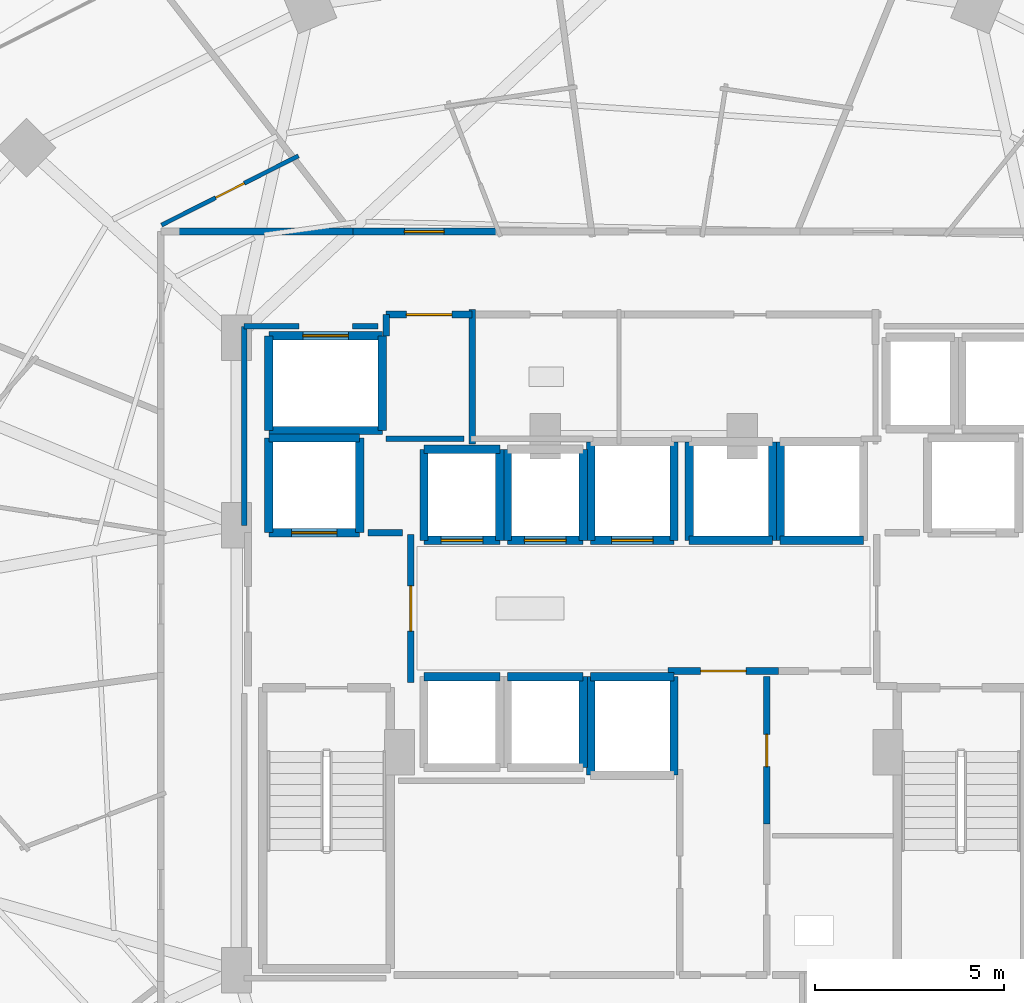
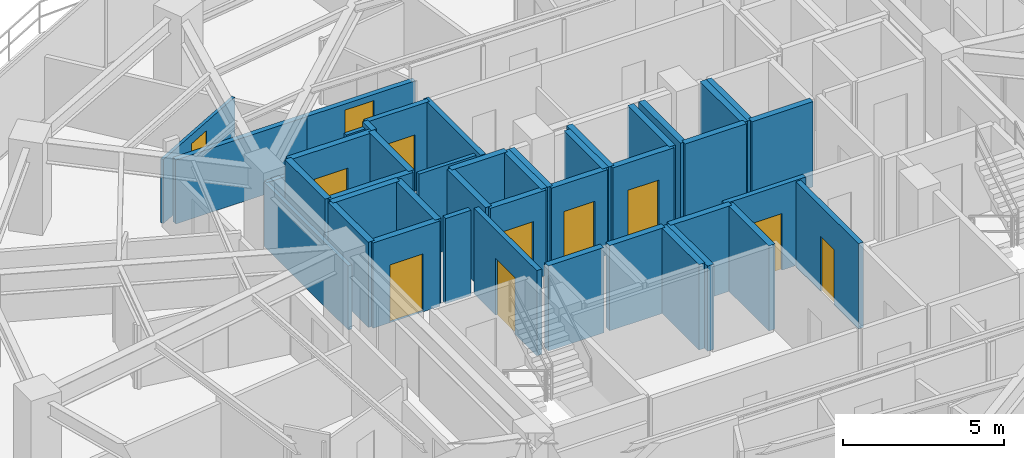
# One storey, part 23 of 30: 43 walls, 11 doors, 11 openings.
"""IFC4 building model written with IfcOpenShell, lengths in metres."""

from ifc_helpers import new_model, si_unit, direction, frame, frame_2d, origin, place, context, subcontext, project, spatial, rectangle, extrude, material, layer, layer_set, type_object, element, fill, save


model = new_model("IFC4")

# Units and contexts
model_context = context("Model", 3, precision=1e-05, world=origin(), true_north=direction((0.0, 1.0)))
body_context = subcontext(model_context, "Body", "Model", "MODEL_VIEW")
ifc_project = project(units=[si_unit("LENGTHUNIT", "METRE"), si_unit("AREAUNIT", "SQUARE_METRE"), si_unit("VOLUMEUNIT", "CUBIC_METRE"), si_unit("PLANEANGLEUNIT", "RADIAN"), si_unit("MASSUNIT", "GRAM", prefix="KILO")], contexts=[model_context])

# Site, building, storey
site_placement = place(None, origin())
site = spatial("IfcSite", under=ifc_project, at=site_placement, CompositionType="ELEMENT")
building_placement = place(site_placement, origin())
building = spatial("IfcBuilding", under=site, at=building_placement, Name="Vorneva Point Tower", CompositionType="ELEMENT")
storey_placement = place(building_placement, frame((0.0, 0.0, 96.300048828125)))
storey = spatial("IfcBuildingStorey", under=building, at=storey_placement, Name="L25", CompositionType="ELEMENT", Elevation=96.300048828125)

# Wall, opening, door
ifc_material_1 = material(Name="Concrete B60 (C50/60)", Category="concrete")
ifc_layer_1 = layer(ifc_material_1, 0.5)
ifc_layer_set_1 = layer_set([ifc_layer_1], Name="Concrete B60 (C50/60)")
wall_type_1 = type_object("IfcWallType", Name="WL-CORE-500", PredefinedType="SHEAR", material=ifc_layer_set_1)
wall_1_placement = place(storey_placement, frame((28.10009765625, 28.0, 0.0), z_axis=(0.0, 0.0, 1.0), x_axis=(1.0, 0.0, 0.0)))
wall_1 = element("IfcWall", 1, at=wall_1_placement, inside=storey, type_object=wall_type_1, Name="L25 Lift FFL1 Shaft Wall -Y", PredefinedType="SHEAR", context=body_context, shape_type="SweptSolid", body=[
    extrude(rectangle(XDim=2.39990234375, YDim=0.219970703125, at=frame_2d((1.199951171875, 0.0))), origin(), (0.0, 0.0, 1.0), 3.239990234375),
])
opening_1_placement = place(wall_1_placement, frame((0.60009765625, 0.0, 0.0)))
opening_1 = element("IfcOpeningElement", 2, at=opening_1_placement, cuts=wall_1, Name="Opening LD-02", PredefinedType="OPENING", context=body_context, shape_type="SweptSolid", body=[
    extrude(rectangle(XDim=1.199951171875, YDim=2.199951171875, at=frame_2d((0.60009765625, 1.10009765625))), frame((0.0, 0.125, 0.0), z_axis=(0.0, -1.0, 0.0), x_axis=(1.0, 0.0, 0.0)), (0.0, 0.0, 1.0), 0.249755859375),
])
ifc_material_2 = material(Name="Brushed stainless steel S304", Category="steel")
door_type_1 = type_object("IfcDoorType", Name="LD-FIRE-1200", OperationType="SLIDING_TO_LEFT", PredefinedType="DOOR", material=ifc_material_2)
door_1_placement = place(opening_1_placement, origin())
door_1 = element("IfcDoor", 3, at=door_1_placement, inside=storey, type_object=door_type_1, Name="L25 Lift FFL1 Sliding Landing Door", OperationType="SLIDING_TO_LEFT", OverallHeight=2.199951171875, OverallWidth=1.199951171875, PredefinedType="DOOR", context=body_context, shape_type="SweptSolid", body=[
    extrude(rectangle(XDim=1.199951171875, YDim=2.199951171875, at=frame_2d((0.60009765625, 1.10009765625))), frame((0.0, 0.02490234375, 0.0), z_axis=(0.0, -1.0, 0.0), x_axis=(1.0, 0.0, 0.0)), (0.0, 0.0, 1.0), 0.050048828125),
])
fill(opening_1, door_1)

# Walls
wall_2_placement = place(storey_placement, frame((30.5, 28.0, 0.0), z_axis=(0.0, 0.0, 1.0), x_axis=(0.0, 1.0, 0.0)))
element("IfcWall", 4, at=wall_2_placement, inside=storey, type_object=wall_type_1, Name="L25 Lift FFL1 Shaft Wall +X", PredefinedType="SHEAR", context=body_context, shape_type="SweptSolid", body=[
    extrude(rectangle(XDim=2.5, YDim=0.219970703125, at=frame_2d((1.25, 0.0))), origin(), (0.0, 0.0, 1.0), 3.239990234375),
])
wall_3_placement = place(storey_placement, frame((30.5, 30.5, 0.0), z_axis=(0.0, 0.0, 1.0), x_axis=(-1.0, 0.0, 0.0)))
element("IfcWall", 5, at=wall_3_placement, inside=storey, type_object=wall_type_1, Name="L25 Lift FFL1 Shaft Wall +Y", PredefinedType="SHEAR", context=body_context, shape_type="SweptSolid", body=[
    extrude(rectangle(XDim=2.39990234375, YDim=0.219970703125, at=frame_2d((1.199951171875, 0.0))), origin(), (0.0, 0.0, 1.0), 3.239990234375),
])
wall_4_placement = place(storey_placement, frame((28.10009765625, 30.5, 0.0), z_axis=(0.0, 0.0, 1.0), x_axis=(0.0, -1.0, 0.0)))
element("IfcWall", 6, at=wall_4_placement, inside=storey, type_object=wall_type_1, Name="L25 Lift FFL1 Shaft Wall -X", PredefinedType="SHEAR", context=body_context, shape_type="SweptSolid", body=[
    extrude(rectangle(XDim=2.5, YDim=0.219970703125, at=frame_2d((1.25, 0.0))), origin(), (0.0, 0.0, 1.0), 3.239990234375),
])

# Wall, opening, door
ifc_material_3 = material(Name="Fire-rated acoustic gypsum stud partition", Category="gypsum")
ifc_layer_2 = layer(ifc_material_3, 0.110107421875)
ifc_layer_set_2 = layer_set([ifc_layer_2], Name="Fire-rated acoustic gypsum stud partition")
wall_type_2 = type_object("IfcWallType", Name="WL-PART-110", PredefinedType="PARTITIONING", material=ifc_layer_set_2)
wall_5_placement = place(storey_placement, frame((25.26806640625, 36.122802734375, 0.0), z_axis=(0.0, 0.0, 1.0), x_axis=(0.892501687321, 0.451044053425, 0.0)))
wall_5 = element("IfcWall", 7, at=wall_5_placement, inside=storey, type_object=wall_type_2, Name="L25 Interior Partition 066", PredefinedType="PARTITIONING", context=body_context, shape_type="SweptSolid", body=[
    extrude(rectangle(XDim=4.04931640625, YDim=0.110107421875, at=frame_2d((2.024658203125, 0.0))), origin(), (0.0, 0.0, 1.0), 2.431884765625),
])
opening_2_placement = place(wall_5_placement, frame((1.599609375, 0.0, 0.0)))
opening_2 = element("IfcOpeningElement", 8, at=opening_2_placement, cuts=wall_5, Name="Opening ID-02", PredefinedType="OPENING", context=body_context, shape_type="SweptSolid", body=[
    extrude(rectangle(XDim=0.85009765625, YDim=2.10009765625, at=frame_2d((0.425048828125, 1.050048828125))), frame((0.0, 0.06982421875, 0.0), z_axis=(0.0, -1.0, 0.0), x_axis=(1.0, 0.0, 0.0)), (0.0, 0.0, 1.0), 0.139892578125),
])
ifc_material_4 = material(Name="Engineered oak fire-rated door leaf", Category="wood")
door_type_2 = type_object("IfcDoorType", Name="DR-BATH-850", OperationType="NOTDEFINED", PredefinedType="DOOR", material=ifc_material_4)
door_2_placement = place(opening_2_placement, origin())
door_2 = element("IfcDoor", 9, at=door_2_placement, inside=storey, type_object=door_type_2, Name="L25 Door Executive Suite L25-05 / En-Suite Bathroom L25-05", OperationType="SINGLE_SWING_LEFT", OverallHeight=2.10009765625, OverallWidth=0.85009765625, PredefinedType="DOOR", context=body_context, shape_type="SweptSolid", body=[
    extrude(rectangle(XDim=0.85009765625, YDim=2.10009765625, at=frame_2d((0.425048828125, 1.050048828125))), frame((0.0, 0.02490234375, 0.0), z_axis=(0.0, -1.0, 0.0), x_axis=(1.0, 0.0, 0.0)), (0.0, 0.0, 1.0), 0.050048828125),
])
fill(opening_2, door_2)

# Walls
ifc_layer_3 = layer(ifc_material_3, 0.139892578125)
ifc_layer_set_3 = layer_set([ifc_layer_3], Name="Fire-rated acoustic gypsum stud partition")
wall_type_3 = type_object("IfcWallType", Name="WL-PART-140", PredefinedType="PARTITIONING", material=ifc_layer_set_3)
wall_6_placement = place(storey_placement, frame((31.199951171875, 30.47998046875, 0.0), z_axis=(0.0, 0.0, 1.0), x_axis=(1.0, 0.0, 0.0)))
element("IfcWall", 10, at=wall_6_placement, inside=storey, type_object=wall_type_3, Name="L25 Interior Closure Partition 088", PredefinedType="PARTITIONING", context=body_context, shape_type="SweptSolid", body=[
    extrude(rectangle(XDim=2.050048828125, YDim=0.139892578125, at=frame_2d((1.02490234375, 0.0))), origin(), (0.0, 0.0, 1.0), 3.239990234375),
])
wall_7_placement = place(storey_placement, frame((27.449951171875, 28.196044921875, 0.0), z_axis=(0.0, 0.0, 1.0), x_axis=(0.0, 1.0, 0.0)))
element("IfcWall", 11, at=wall_7_placement, inside=storey, type_object=wall_type_3, Name="L25 Interior Closure Partition 100", PredefinedType="PARTITIONING", context=body_context, shape_type="SweptSolid", body=[
    extrude(rectangle(XDim=5.25390625, YDim=0.139892578125, at=frame_2d((2.626953125, 0.0))), origin(), (0.0, 0.0, 1.0), 2.431884765625),
])
wall_8_placement = place(storey_placement, frame((27.449951171875, 33.449951171875, 0.0), z_axis=(0.0, 0.0, 1.0), x_axis=(1.0, 0.0, 0.0)))
element("IfcWall", 12, at=wall_8_placement, inside=storey, type_object=wall_type_3, Name="L25 Interior Closure Partition 101", PredefinedType="PARTITIONING", context=body_context, shape_type="SweptSolid", body=[
    extrude(rectangle(XDim=1.444091796875, YDim=0.139892578125, at=frame_2d((0.72216796875, 0.0))), origin(), (0.0, 0.0, 1.0), 2.431884765625),
])
wall_9_placement = place(storey_placement, frame((30.305908203125, 33.449951171875, 0.0), z_axis=(0.0, 0.0, 1.0), x_axis=(1.0, 0.0, 0.0)))
element("IfcWall", 13, at=wall_9_placement, inside=storey, type_object=wall_type_3, Name="L25 Interior Closure Partition 102", PredefinedType="PARTITIONING", context=body_context, shape_type="SweptSolid", body=[
    extrude(rectangle(XDim=0.674072265625, YDim=0.139892578125, at=frame_2d((0.3369140625, 0.0))), origin(), (0.0, 0.0, 1.0), 3.239990234375),
])

# Wall, opening, door
ifc_material_5 = material(Name="Autoclaved aerated concrete blockwork", Category="masonry")
ifc_layer_4 = layer(ifc_material_5, 0.179931640625)
ifc_layer_set_4 = layer_set([ifc_layer_4], Name="Autoclaved aerated concrete blockwork")
wall_type_4 = type_object("IfcWallType", Name="WL-PART-180", PredefinedType="PARTITIONING", material=ifc_layer_set_4)
wall_10_placement = place(storey_placement, frame((31.85009765625, 24.044921875, 0.0), z_axis=(0.0, 0.0, 1.0), x_axis=(0.0, 1.0, 0.0)))
wall_10 = element("IfcWall", 14, at=wall_10_placement, inside=storey, type_object=wall_type_4, Name="L25 Interior Partition 001", PredefinedType="PARTITIONING", context=body_context, shape_type="SweptSolid", body=[
    extrude(rectangle(XDim=3.91015625, YDim=0.179931640625, at=frame_2d((1.955078125, 0.0))), origin(), (0.0, 0.0, 1.0), 3.239990234375),
])
opening_3_placement = place(wall_10_placement, frame((1.35498046875, 0.0, 0.0)))
opening_3 = element("IfcOpeningElement", 15, at=opening_3_placement, cuts=wall_10, Name="Opening FD-02", PredefinedType="OPENING", context=body_context, shape_type="SweptSolid", body=[
    extrude(rectangle(XDim=1.199951171875, YDim=2.14990234375, at=frame_2d((0.60009765625, 1.074951171875))), frame((0.0, 0.10498046875, 0.0), z_axis=(0.0, -1.0, 0.0), x_axis=(1.0, 0.0, 0.0)), (0.0, 0.0, 1.0), 0.209716796875),
])
ifc_material_6 = material(Name="Fire-rated powder-coated steel", Category="steel")
door_type_3 = type_object("IfcDoorType", Name="DR-FFL-1200", OperationType="NOTDEFINED", PredefinedType="DOOR", material=ifc_material_6)
door_3_placement = place(opening_3_placement, origin())
door_3 = element("IfcDoor", 16, at=door_3_placement, inside=storey, type_object=door_type_3, Name="L25 Door West Firefighting Lobby / Central Lift Lobby", OperationType="SINGLE_SWING_RIGHT", OverallHeight=2.14990234375, OverallWidth=1.199951171875, PredefinedType="DOOR", context=body_context, shape_type="SweptSolid", body=[
    extrude(rectangle(XDim=1.199951171875, YDim=2.14990234375, at=frame_2d((0.60009765625, 1.074951171875))), frame((0.0, 0.02490234375, 0.0), z_axis=(0.0, -1.0, 0.0), x_axis=(1.0, 0.0, 0.0)), (0.0, 0.0, 1.0), 0.050048828125),
])
fill(opening_3, door_3)

# Wall
wall_11_placement = place(storey_placement, frame((33.469970703125, 30.340087890625, 0.0), z_axis=(0.0, 0.0, 1.0), x_axis=(0.0, 1.0, 0.0)))
element("IfcWall", 17, at=wall_11_placement, inside=storey, type_object=wall_type_4, Name="L25 Interior Partition 006", PredefinedType="PARTITIONING", context=body_context, shape_type="SweptSolid", body=[
    extrude(rectangle(XDim=3.559814453125, YDim=0.179931640625, at=frame_2d((1.77978515625, 0.0))), origin(), (0.0, 0.0, 1.0), 3.239990234375),
])

# Wall, opening, door
wall_12_placement = place(storey_placement, frame((33.469970703125, 33.760009765625, 0.0), z_axis=(0.0, 0.0, 1.0), x_axis=(-1.0, 0.0, 0.0)))
wall_12 = element("IfcWall", 18, at=wall_12_placement, inside=storey, type_object=wall_type_4, Name="L25 Interior Partition 007", PredefinedType="PARTITIONING", context=body_context, shape_type="SweptSolid", body=[
    extrude(rectangle(XDim=2.27001953125, YDim=0.179931640625, at=frame_2d((1.135009765625, 0.0))), origin(), (0.0, 0.0, 1.0), 3.239990234375),
])
opening_4_placement = place(wall_12_placement, frame((0.534912109375, 0.0, 0.0)))
opening_4 = element("IfcOpeningElement", 19, at=opening_4_placement, cuts=wall_12, Name="Opening FD-02", PredefinedType="OPENING", context=body_context, shape_type="SweptSolid", body=[
    extrude(rectangle(XDim=1.199951171875, YDim=2.14990234375, at=frame_2d((0.60009765625, 1.074951171875))), frame((0.0, 0.10498046875, 0.0), z_axis=(0.0, -1.0, 0.0), x_axis=(1.0, 0.0, 0.0)), (0.0, 0.0, 1.0), 0.209716796875),
])
door_4_placement = place(opening_4_placement, origin())
door_4 = element("IfcDoor", 20, at=door_4_placement, inside=storey, type_object=door_type_3, Name="L25 Door Service Lift Lobby / L25 Circulation Corridor", OperationType="SINGLE_SWING_RIGHT", OverallHeight=2.14990234375, OverallWidth=1.199951171875, PredefinedType="DOOR", context=body_context, shape_type="SweptSolid", body=[
    extrude(rectangle(XDim=1.199951171875, YDim=2.14990234375, at=frame_2d((0.60009765625, 1.074951171875))), frame((0.0, 0.02490234375, 0.0), z_axis=(0.0, -1.0, 0.0), x_axis=(1.0, 0.0, 0.0)), (0.0, 0.0, 1.0), 0.050048828125),
])
fill(opening_4, door_4)

# Wall
wall_13_placement = place(storey_placement, frame((31.199951171875, 33.760009765625, 0.0), z_axis=(0.0, 0.0, 1.0), x_axis=(0.0, -1.0, 0.0)))
element("IfcWall", 21, at=wall_13_placement, inside=storey, type_object=wall_type_4, Name="L25 Interior Partition 008", PredefinedType="PARTITIONING", context=body_context, shape_type="SweptSolid", body=[
    extrude(rectangle(XDim=0.56005859375, YDim=0.179931640625, at=frame_2d((0.280029296875, 0.0))), origin(), (0.0, 0.0, 1.0), 3.239990234375),
])

# Wall, opening, door
wall_14_placement = place(storey_placement, frame((38.64501953125, 24.35009765625, 0.0), z_axis=(0.0, 0.0, 1.0), x_axis=(1.0, 0.0, 0.0)))
wall_14 = element("IfcWall", 22, at=wall_14_placement, inside=storey, type_object=wall_type_4, Name="L25 Interior Partition 009", PredefinedType="PARTITIONING", context=body_context, shape_type="SweptSolid", body=[
    extrude(rectangle(XDim=2.909912109375, YDim=0.179931640625, at=frame_2d((1.455078125, 0.0))), origin(), (0.0, 0.0, 1.0), 3.239990234375),
])
opening_5_placement = place(wall_14_placement, frame((0.85498046875, 0.0, 0.0)))
opening_5 = element("IfcOpeningElement", 23, at=opening_5_placement, cuts=wall_14, Name="Opening FD-02", PredefinedType="OPENING", context=body_context, shape_type="SweptSolid", body=[
    extrude(rectangle(XDim=1.199951171875, YDim=2.14990234375, at=frame_2d((0.60009765625, 1.074951171875))), frame((0.0, 0.10498046875, 0.0), z_axis=(0.0, -1.0, 0.0), x_axis=(1.0, 0.0, 0.0)), (0.0, 0.0, 1.0), 0.209716796875),
])
door_5_placement = place(opening_5_placement, origin())
door_5 = element("IfcDoor", 24, at=door_5_placement, inside=storey, type_object=door_type_3, Name="L25 Door Central Lift Lobby / Core Service Lobby", OperationType="SINGLE_SWING_LEFT", OverallHeight=2.14990234375, OverallWidth=1.199951171875, PredefinedType="DOOR", context=body_context, shape_type="SweptSolid", body=[
    extrude(rectangle(XDim=1.199951171875, YDim=2.14990234375, at=frame_2d((0.60009765625, 1.074951171875))), frame((0.0, 0.02490234375, 0.0), z_axis=(0.0, -1.0, 0.0), x_axis=(1.0, 0.0, 0.0)), (0.0, 0.0, 1.0), 0.050048828125),
])
fill(opening_5, door_5)

wall_15_placement = place(storey_placement, frame((41.25, 20.304931640625, 0.0), z_axis=(0.0, 0.0, 1.0), x_axis=(0.0, 1.0, 0.0)))
wall_15 = element("IfcWall", 25, at=wall_15_placement, inside=storey, type_object=wall_type_4, Name="L25 Interior Partition 012", PredefinedType="PARTITIONING", context=body_context, shape_type="SweptSolid", body=[
    extrude(rectangle(XDim=3.89501953125, YDim=0.179931640625, at=frame_2d((1.947509765625, 0.0))), origin(), (0.0, 0.0, 1.0), 3.239990234375),
])
opening_6_placement = place(wall_15_placement, frame((1.5224609375, 0.0, 0.0)))
opening_6 = element("IfcOpeningElement", 26, at=opening_6_placement, cuts=wall_15, Name="Opening ID-02", PredefinedType="OPENING", context=body_context, shape_type="SweptSolid", body=[
    extrude(rectangle(XDim=0.85009765625, YDim=2.10009765625, at=frame_2d((0.425048828125, 1.050048828125))), frame((0.0, 0.10498046875, 0.0), z_axis=(0.0, -1.0, 0.0), x_axis=(1.0, 0.0, 0.0)), (0.0, 0.0, 1.0), 0.209716796875),
])
door_6_placement = place(opening_6_placement, origin())
door_6 = element("IfcDoor", 27, at=door_6_placement, inside=storey, type_object=door_type_2, Name="L25 Door Core Service Lobby / Cleaners Store", OperationType="SINGLE_SWING_RIGHT", OverallHeight=2.10009765625, OverallWidth=0.85009765625, PredefinedType="DOOR", context=body_context, shape_type="SweptSolid", body=[
    extrude(rectangle(XDim=0.85009765625, YDim=2.10009765625, at=frame_2d((0.425048828125, 1.050048828125))), frame((0.0, 0.02490234375, 0.0), z_axis=(0.0, -1.0, 0.0), x_axis=(1.0, 0.0, 0.0)), (0.0, 0.0, 1.0), 0.050048828125),
])
fill(opening_6, door_6)

wall_16_placement = place(storey_placement, frame((34.22607421875, 35.949951171875, 0.0), z_axis=(0.0, 0.0, 1.0), x_axis=(-1.0, 0.0, 0.0)))
wall_16 = element("IfcWall", 28, at=wall_16_placement, inside=storey, type_object=wall_type_4, Name="L25 Interior Partition 028", PredefinedType="PARTITIONING", context=body_context, shape_type="SweptSolid", body=[
    extrude(rectangle(XDim=4.0390625, YDim=0.179931640625, at=frame_2d((2.01953125, 0.0))), origin(), (0.0, 0.0, 1.0), 2.431884765625),
])
opening_7_placement = place(wall_16_placement, frame((1.494384765625, 0.0, 0.0)))
opening_7 = element("IfcOpeningElement", 29, at=opening_7_placement, cuts=wall_16, Name="Opening UD-02", PredefinedType="OPENING", context=body_context, shape_type="SweptSolid", body=[
    extrude(rectangle(XDim=1.050048828125, YDim=2.199951171875, at=frame_2d((0.52490234375, 1.10009765625))), frame((0.0, 0.10498046875, 0.0), z_axis=(0.0, -1.0, 0.0), x_axis=(1.0, 0.0, 0.0)), (0.0, 0.0, 1.0), 0.209716796875),
])
door_type_4 = type_object("IfcDoorType", Name="DR-SUITE-1050", OperationType="NOTDEFINED", PredefinedType="DOOR", material=ifc_material_4)
door_7_placement = place(opening_7_placement, origin())
door_7 = element("IfcDoor", 30, at=door_7_placement, inside=storey, type_object=door_type_4, Name="L25 Door L25 Circulation Corridor / Junior Suite L25-04", OperationType="SINGLE_SWING_RIGHT", OverallHeight=2.199951171875, OverallWidth=1.050048828125, PredefinedType="DOOR", context=body_context, shape_type="SweptSolid", body=[
    extrude(rectangle(XDim=1.050048828125, YDim=2.199951171875, at=frame_2d((0.52490234375, 1.10009765625))), frame((0.0, 0.02490234375, 0.0), z_axis=(0.0, -1.0, 0.0), x_axis=(1.0, 0.0, 0.0)), (0.0, 0.0, 1.0), 0.050048828125),
])
fill(opening_7, door_7)

# Walls
wall_17_placement = place(storey_placement, frame((30.326904296875, 35.949951171875, 0.0), z_axis=(0.0, 0.0, 1.0), x_axis=(-1.0, 0.0, 0.0)))
element("IfcWall", 31, at=wall_17_placement, inside=storey, type_object=wall_type_4, Name="L25 Interior Partition 032", PredefinedType="PARTITIONING", context=body_context, shape_type="SweptSolid", body=[
    extrude(rectangle(XDim=4.721923828125, YDim=0.179931640625, at=frame_2d((2.36083984375, 0.0))), origin(), (0.0, 0.0, 1.0), 2.431884765625),
])
wall_18_placement = place(storey_placement, frame((31.635009765625, 28.0, 0.0), z_axis=(0.0, 0.0, 1.0), x_axis=(-1.0, 0.0, 0.0)))
element("IfcWall", 32, at=wall_18_placement, inside=storey, type_object=wall_type_4, Name="L25 Interior Closure Partition 086", PredefinedType="PARTITIONING", context=body_context, shape_type="SweptSolid", body=[
    extrude(rectangle(XDim=0.9150390625, YDim=0.179931640625, at=frame_2d((0.45751953125, 0.0))), origin(), (0.0, 0.0, 1.0), 3.239990234375),
])

# Wall, opening, door
ifc_material_7 = material(Name="Concrete B50 (C40/50)", Category="concrete")
ifc_layer_5 = layer(ifc_material_7, 0.219970703125)
ifc_layer_set_5 = layer_set([ifc_layer_5], Name="Concrete B50 (C40/50)")
wall_type_5 = type_object("IfcWallType", Name="WL-SHFT-220", PredefinedType="SOLIDWALL", material=ifc_layer_set_5)
wall_19_placement = place(storey_placement, frame((32.199951171875, 27.800048828125, 0.0), z_axis=(0.0, 0.0, 1.0), x_axis=(1.0, 0.0, 0.0)))
wall_19 = element("IfcWall", 33, at=wall_19_placement, inside=storey, type_object=wall_type_5, Name="L25 Lift PL1 Shaft Wall -Y", PredefinedType="SOLIDWALL", context=body_context, shape_type="SweptSolid", body=[
    extrude(rectangle(XDim=2.0, YDim=0.219970703125, at=frame_2d((1.0, 0.0))), origin(), (0.0, 0.0, 1.0), 3.239990234375),
])
opening_8_placement = place(wall_19_placement, frame((0.449951171875, 0.0, 0.0)))
opening_8 = element("IfcOpeningElement", 34, at=opening_8_placement, cuts=wall_19, Name="Opening LD-01", PredefinedType="OPENING", context=body_context, shape_type="SweptSolid", body=[
    extrude(rectangle(XDim=1.10009765625, YDim=2.199951171875, at=frame_2d((0.550048828125, 1.10009765625))), frame((0.0, 0.125, 0.0), z_axis=(0.0, -1.0, 0.0), x_axis=(1.0, 0.0, 0.0)), (0.0, 0.0, 1.0), 0.249755859375),
])
door_type_5 = type_object("IfcDoorType", Name="LD-PASS-1100", OperationType="SLIDING_TO_LEFT", PredefinedType="DOOR", material=ifc_material_2)
door_8_placement = place(opening_8_placement, origin())
door_8 = element("IfcDoor", 35, at=door_8_placement, inside=storey, type_object=door_type_5, Name="L25 Lift PL1 Sliding Landing Door", OperationType="SLIDING_TO_LEFT", OverallHeight=2.199951171875, OverallWidth=1.10009765625, PredefinedType="DOOR", context=body_context, shape_type="SweptSolid", body=[
    extrude(rectangle(XDim=1.10009765625, YDim=2.199951171875, at=frame_2d((0.550048828125, 1.10009765625))), frame((0.0, 0.02490234375, 0.0), z_axis=(0.0, -1.0, 0.0), x_axis=(1.0, 0.0, 0.0)), (0.0, 0.0, 1.0), 0.050048828125),
])
fill(opening_8, door_8)

# Walls
wall_20_placement = place(storey_placement, frame((34.199951171875, 27.800048828125, 0.0), z_axis=(0.0, 0.0, 1.0), x_axis=(0.0, 1.0, 0.0)))
element("IfcWall", 36, at=wall_20_placement, inside=storey, type_object=wall_type_5, Name="L25 Lift PL1 Shaft Wall +X", PredefinedType="SOLIDWALL", context=body_context, shape_type="SweptSolid", body=[
    extrude(rectangle(XDim=2.39990234375, YDim=0.219970703125, at=frame_2d((1.199951171875, 0.0))), origin(), (0.0, 0.0, 1.0), 3.239990234375),
])
wall_21_placement = place(storey_placement, frame((34.199951171875, 30.199951171875, 0.0), z_axis=(0.0, 0.0, 1.0), x_axis=(-1.0, 0.0, 0.0)))
element("IfcWall", 37, at=wall_21_placement, inside=storey, type_object=wall_type_5, Name="L25 Lift PL1 Shaft Wall +Y", PredefinedType="SOLIDWALL", context=body_context, shape_type="SweptSolid", body=[
    extrude(rectangle(XDim=2.0, YDim=0.219970703125, at=frame_2d((1.0, 0.0))), origin(), (0.0, 0.0, 1.0), 3.239990234375),
])
wall_22_placement = place(storey_placement, frame((32.199951171875, 30.199951171875, 0.0), z_axis=(0.0, 0.0, 1.0), x_axis=(0.0, -1.0, 0.0)))
element("IfcWall", 38, at=wall_22_placement, inside=storey, type_object=wall_type_5, Name="L25 Lift PL1 Shaft Wall -X", PredefinedType="SOLIDWALL", context=body_context, shape_type="SweptSolid", body=[
    extrude(rectangle(XDim=2.39990234375, YDim=0.219970703125, at=frame_2d((1.199951171875, 0.0))), origin(), (0.0, 0.0, 1.0), 3.239990234375),
])

# Wall, opening, door
wall_23_placement = place(storey_placement, frame((34.39990234375, 27.800048828125, 0.0), z_axis=(0.0, 0.0, 1.0), x_axis=(1.0, 0.0, 0.0)))
wall_23 = element("IfcWall", 39, at=wall_23_placement, inside=storey, type_object=wall_type_5, Name="L25 Lift PL2 Shaft Wall -Y", PredefinedType="SOLIDWALL", context=body_context, shape_type="SweptSolid", body=[
    extrude(rectangle(XDim=2.0, YDim=0.219970703125, at=frame_2d((1.0, 0.0))), origin(), (0.0, 0.0, 1.0), 3.239990234375),
])
opening_9_placement = place(wall_23_placement, frame((0.449951171875, 0.0, 0.0)))
opening_9 = element("IfcOpeningElement", 40, at=opening_9_placement, cuts=wall_23, Name="Opening LD-01", PredefinedType="OPENING", context=body_context, shape_type="SweptSolid", body=[
    extrude(rectangle(XDim=1.10009765625, YDim=2.199951171875, at=frame_2d((0.550048828125, 1.10009765625))), frame((0.0, 0.125, 0.0), z_axis=(0.0, -1.0, 0.0), x_axis=(1.0, 0.0, 0.0)), (0.0, 0.0, 1.0), 0.249755859375),
])
door_9_placement = place(opening_9_placement, origin())
door_9 = element("IfcDoor", 41, at=door_9_placement, inside=storey, type_object=door_type_5, Name="L25 Lift PL2 Sliding Landing Door", OperationType="SLIDING_TO_LEFT", OverallHeight=2.199951171875, OverallWidth=1.10009765625, PredefinedType="DOOR", context=body_context, shape_type="SweptSolid", body=[
    extrude(rectangle(XDim=1.10009765625, YDim=2.199951171875, at=frame_2d((0.550048828125, 1.10009765625))), frame((0.0, 0.02490234375, 0.0), z_axis=(0.0, -1.0, 0.0), x_axis=(1.0, 0.0, 0.0)), (0.0, 0.0, 1.0), 0.050048828125),
])
fill(opening_9, door_9)

# Walls
for number, where, z_axis, x_axis, name in (
    (42, (36.39990234375, 27.800048828125, 0.0), (0.0, 0.0, 1.0), (0.0, 1.0, 0.0), "L25 Lift PL2 Shaft Wall +X"),
    (43, (34.39990234375, 30.199951171875, 0.0), (0.0, 0.0, 1.0), (0.0, -1.0, 0.0), "L25 Lift PL2 Shaft Wall -X"),
):
    element("IfcWall", number, at=place(storey_placement, frame(where, z_axis=z_axis, x_axis=x_axis)), inside=storey, type_object=wall_type_5, Name=name, PredefinedType="SOLIDWALL", context=body_context, shape_type="SweptSolid", body=[
        extrude(rectangle(XDim=2.39990234375, YDim=0.219970703125, at=frame_2d((1.199951171875, 0.0))), origin(), (0.0, 0.0, 1.0), 3.239990234375),
    ])

# Wall, opening, door
wall_24_placement = place(storey_placement, frame((36.60009765625, 27.800048828125, 0.0), z_axis=(0.0, 0.0, 1.0), x_axis=(1.0, 0.0, 0.0)))
wall_24 = element("IfcWall", 44, at=wall_24_placement, inside=storey, type_object=wall_type_5, Name="L25 Lift PL3 Shaft Wall -Y", PredefinedType="SOLIDWALL", context=body_context, shape_type="SweptSolid", body=[
    extrude(rectangle(XDim=2.199951171875, YDim=0.219970703125, at=frame_2d((1.10009765625, 0.0))), origin(), (0.0, 0.0, 1.0), 3.239990234375),
])
opening_10_placement = place(wall_24_placement, frame((0.550048828125, 0.0, 0.0)))
opening_10 = element("IfcOpeningElement", 45, at=opening_10_placement, cuts=wall_24, Name="Opening LD-01", PredefinedType="OPENING", context=body_context, shape_type="SweptSolid", body=[
    extrude(rectangle(XDim=1.10009765625, YDim=2.199951171875, at=frame_2d((0.550048828125, 1.10009765625))), frame((0.0, 0.125, 0.0), z_axis=(0.0, -1.0, 0.0), x_axis=(1.0, 0.0, 0.0)), (0.0, 0.0, 1.0), 0.249755859375),
])
door_10_placement = place(opening_10_placement, origin())
door_10 = element("IfcDoor", 46, at=door_10_placement, inside=storey, type_object=door_type_5, Name="L25 Lift PL3 Sliding Landing Door", OperationType="SLIDING_TO_LEFT", OverallHeight=2.199951171875, OverallWidth=1.10009765625, PredefinedType="DOOR", context=body_context, shape_type="SweptSolid", body=[
    extrude(rectangle(XDim=1.10009765625, YDim=2.199951171875, at=frame_2d((0.550048828125, 1.10009765625))), frame((0.0, 0.02490234375, 0.0), z_axis=(0.0, -1.0, 0.0), x_axis=(1.0, 0.0, 0.0)), (0.0, 0.0, 1.0), 0.050048828125),
])
fill(opening_10, door_10)

# Walls
for number, where, z_axis, x_axis, name in (
    (47, (38.800048828125, 27.800048828125, 0.0), (0.0, 0.0, 1.0), (0.0, 1.0, 0.0), "L25 Lift PL3 Shaft Wall +X"),
    (48, (36.60009765625, 30.39990234375, 0.0), (0.0, 0.0, 1.0), (0.0, -1.0, 0.0), "L25 Lift PL3 Shaft Wall -X"),
):
    element("IfcWall", number, at=place(storey_placement, frame(where, z_axis=z_axis, x_axis=x_axis)), inside=storey, type_object=wall_type_5, Name=name, PredefinedType="SOLIDWALL", context=body_context, shape_type="SweptSolid", body=[
        extrude(rectangle(XDim=2.599853515625, YDim=0.219970703125, at=frame_2d((1.2998046875, 0.0))), origin(), (0.0, 0.0, 1.0), 3.239990234375),
    ])
wall_25_placement = place(storey_placement, frame((34.199951171875, 24.199951171875, 0.0), z_axis=(0.0, 0.0, 1.0), x_axis=(-1.0, 0.0, 0.0)))
element("IfcWall", 49, at=wall_25_placement, inside=storey, type_object=wall_type_5, Name="L25 Lift PL4 Shaft Wall +Y", PredefinedType="SOLIDWALL", context=body_context, shape_type="SweptSolid", body=[
    extrude(rectangle(XDim=2.0, YDim=0.219970703125, at=frame_2d((1.0, 0.0))), origin(), (0.0, 0.0, 1.0), 3.239990234375),
])
wall_26_placement = place(storey_placement, frame((36.39990234375, 21.800048828125, 0.0), z_axis=(0.0, 0.0, 1.0), x_axis=(0.0, 1.0, 0.0)))
element("IfcWall", 50, at=wall_26_placement, inside=storey, type_object=wall_type_5, Name="L25 Lift PL5 Shaft Wall +X", PredefinedType="SOLIDWALL", context=body_context, shape_type="SweptSolid", body=[
    extrude(rectangle(XDim=2.39990234375, YDim=0.219970703125, at=frame_2d((1.199951171875, 0.0))), origin(), (0.0, 0.0, 1.0), 3.239990234375),
])
wall_27_placement = place(storey_placement, frame((36.39990234375, 24.199951171875, 0.0), z_axis=(0.0, 0.0, 1.0), x_axis=(-1.0, 0.0, 0.0)))
element("IfcWall", 51, at=wall_27_placement, inside=storey, type_object=wall_type_5, Name="L25 Lift PL5 Shaft Wall +Y", PredefinedType="SOLIDWALL", context=body_context, shape_type="SweptSolid", body=[
    extrude(rectangle(XDim=2.0, YDim=0.219970703125, at=frame_2d((1.0, 0.0))), origin(), (0.0, 0.0, 1.0), 3.239990234375),
])
wall_28_placement = place(storey_placement, frame((38.800048828125, 21.60009765625, 0.0), z_axis=(0.0, 0.0, 1.0), x_axis=(0.0, 1.0, 0.0)))
element("IfcWall", 52, at=wall_28_placement, inside=storey, type_object=wall_type_5, Name="L25 Lift PL6 Shaft Wall +X", PredefinedType="SOLIDWALL", context=body_context, shape_type="SweptSolid", body=[
    extrude(rectangle(XDim=2.599853515625, YDim=0.219970703125, at=frame_2d((1.2998046875, 0.0))), origin(), (0.0, 0.0, 1.0), 3.239990234375),
])
wall_29_placement = place(storey_placement, frame((38.800048828125, 24.199951171875, 0.0), z_axis=(0.0, 0.0, 1.0), x_axis=(-1.0, 0.0, 0.0)))
element("IfcWall", 53, at=wall_29_placement, inside=storey, type_object=wall_type_5, Name="L25 Lift PL6 Shaft Wall +Y", PredefinedType="SOLIDWALL", context=body_context, shape_type="SweptSolid", body=[
    extrude(rectangle(XDim=2.199951171875, YDim=0.219970703125, at=frame_2d((1.10009765625, 0.0))), origin(), (0.0, 0.0, 1.0), 3.239990234375),
])
wall_30_placement = place(storey_placement, frame((36.60009765625, 24.199951171875, 0.0), z_axis=(0.0, 0.0, 1.0), x_axis=(0.0, -1.0, 0.0)))
element("IfcWall", 54, at=wall_30_placement, inside=storey, type_object=wall_type_5, Name="L25 Lift PL6 Shaft Wall -X", PredefinedType="SOLIDWALL", context=body_context, shape_type="SweptSolid", body=[
    extrude(rectangle(XDim=2.599853515625, YDim=0.219970703125, at=frame_2d((1.2998046875, 0.0))), origin(), (0.0, 0.0, 1.0), 3.239990234375),
])
wall_31_placement = place(storey_placement, frame((39.199951171875, 27.800048828125, 0.0), z_axis=(0.0, 0.0, 1.0), x_axis=(1.0, 0.0, 0.0)))
element("IfcWall", 55, at=wall_31_placement, inside=storey, type_object=wall_type_5, Name="L25 Lift PL7 Shaft Wall -Y", PredefinedType="SOLIDWALL", context=body_context, shape_type="SweptSolid", body=[
    extrude(rectangle(XDim=2.199951171875, YDim=0.219970703125, at=frame_2d((1.10009765625, 0.0))), origin(), (0.0, 0.0, 1.0), 3.239990234375),
])
for number, where, z_axis, x_axis, name in (
    (56, (41.39990234375, 27.800048828125, 0.0), (0.0, 0.0, 1.0), (0.0, 1.0, 0.0), "L25 Lift PL7 Shaft Wall +X"),
    (57, (39.199951171875, 30.39990234375, 0.0), (0.0, 0.0, 1.0), (0.0, -1.0, 0.0), "L25 Lift PL7 Shaft Wall -X"),
):
    element("IfcWall", number, at=place(storey_placement, frame(where, z_axis=z_axis, x_axis=x_axis)), inside=storey, type_object=wall_type_5, Name=name, PredefinedType="SOLIDWALL", context=body_context, shape_type="SweptSolid", body=[
        extrude(rectangle(XDim=2.599853515625, YDim=0.219970703125, at=frame_2d((1.2998046875, 0.0))), origin(), (0.0, 0.0, 1.0), 3.239990234375),
    ])
wall_32_placement = place(storey_placement, frame((41.60009765625, 27.800048828125, 0.0), z_axis=(0.0, 0.0, 1.0), x_axis=(1.0, 0.0, 0.0)))
element("IfcWall", 58, at=wall_32_placement, inside=storey, type_object=wall_type_5, Name="L25 Lift PL8 Shaft Wall -Y", PredefinedType="SOLIDWALL", context=body_context, shape_type="SweptSolid", body=[
    extrude(rectangle(XDim=2.199951171875, YDim=0.219970703125, at=frame_2d((1.10009765625, 0.0))), origin(), (0.0, 0.0, 1.0), 3.239990234375),
])
wall_33_placement = place(storey_placement, frame((41.60009765625, 30.39990234375, 0.0), z_axis=(0.0, 0.0, 1.0), x_axis=(0.0, -1.0, 0.0)))
element("IfcWall", 59, at=wall_33_placement, inside=storey, type_object=wall_type_5, Name="L25 Lift PL8 Shaft Wall -X", PredefinedType="SOLIDWALL", context=body_context, shape_type="SweptSolid", body=[
    extrude(rectangle(XDim=2.599853515625, YDim=0.219970703125, at=frame_2d((1.2998046875, 0.0))), origin(), (0.0, 0.0, 1.0), 3.239990234375),
])
wall_34_placement = place(storey_placement, frame((28.10009765625, 30.699951171875, 0.0), z_axis=(0.0, 0.0, 1.0), x_axis=(1.0, 0.0, 0.0)))
element("IfcWall", 60, at=wall_34_placement, inside=storey, type_object=wall_type_5, Name="L25 Lift SVL1 Shaft Wall -Y", PredefinedType="SOLIDWALL", context=body_context, shape_type="SweptSolid", body=[
    extrude(rectangle(XDim=3.0, YDim=0.219970703125, at=frame_2d((1.5, 0.0))), origin(), (0.0, 0.0, 1.0), 3.239990234375),
])
wall_35_placement = place(storey_placement, frame((31.10009765625, 30.699951171875, 0.0), z_axis=(0.0, 0.0, 1.0), x_axis=(0.0, 1.0, 0.0)))
element("IfcWall", 61, at=wall_35_placement, inside=storey, type_object=wall_type_5, Name="L25 Lift SVL1 Shaft Wall +X", PredefinedType="SOLIDWALL", context=body_context, shape_type="SweptSolid", body=[
    extrude(rectangle(XDim=2.5, YDim=0.219970703125, at=frame_2d((1.25, 0.0))), origin(), (0.0, 0.0, 1.0), 3.239990234375),
])

# Wall, opening, door
wall_36_placement = place(storey_placement, frame((31.10009765625, 33.199951171875, 0.0), z_axis=(0.0, 0.0, 1.0), x_axis=(-1.0, 0.0, 0.0)))
wall_36 = element("IfcWall", 62, at=wall_36_placement, inside=storey, type_object=wall_type_5, Name="L25 Lift SVL1 Shaft Wall +Y", PredefinedType="SOLIDWALL", context=body_context, shape_type="SweptSolid", body=[
    extrude(rectangle(XDim=3.0, YDim=0.219970703125, at=frame_2d((1.5, 0.0))), origin(), (0.0, 0.0, 1.0), 3.239990234375),
])
opening_11_placement = place(wall_36_placement, frame((0.89990234375, 0.0, 0.0)))
opening_11 = element("IfcOpeningElement", 63, at=opening_11_placement, cuts=wall_36, Name="Opening LD-02", PredefinedType="OPENING", context=body_context, shape_type="SweptSolid", body=[
    extrude(rectangle(XDim=1.199951171875, YDim=2.199951171875, at=frame_2d((0.60009765625, 1.10009765625))), frame((0.0, 0.125, 0.0), z_axis=(0.0, -1.0, 0.0), x_axis=(1.0, 0.0, 0.0)), (0.0, 0.0, 1.0), 0.249755859375),
])
door_11_placement = place(opening_11_placement, origin())
door_11 = element("IfcDoor", 64, at=door_11_placement, inside=storey, type_object=door_type_1, Name="L25 Lift SVL1 Sliding Landing Door", OperationType="SLIDING_TO_LEFT", OverallHeight=2.199951171875, OverallWidth=1.199951171875, PredefinedType="DOOR", context=body_context, shape_type="SweptSolid", body=[
    extrude(rectangle(XDim=1.199951171875, YDim=2.199951171875, at=frame_2d((0.60009765625, 1.10009765625))), frame((0.0, 0.02490234375, 0.0), z_axis=(0.0, -1.0, 0.0), x_axis=(1.0, 0.0, 0.0)), (0.0, 0.0, 1.0), 0.050048828125),
])
fill(opening_11, door_11)

# Wall
wall_37_placement = place(storey_placement, frame((28.10009765625, 33.199951171875, 0.0), z_axis=(0.0, 0.0, 1.0), x_axis=(0.0, -1.0, 0.0)))
element("IfcWall", 65, at=wall_37_placement, inside=storey, type_object=wall_type_5, Name="L25 Lift SVL1 Shaft Wall -X", PredefinedType="SOLIDWALL", context=body_context, shape_type="SweptSolid", body=[
    extrude(rectangle(XDim=2.5, YDim=0.219970703125, at=frame_2d((1.25, 0.0))), origin(), (0.0, 0.0, 1.0), 3.239990234375),
])

save(model, "model.ifc")
